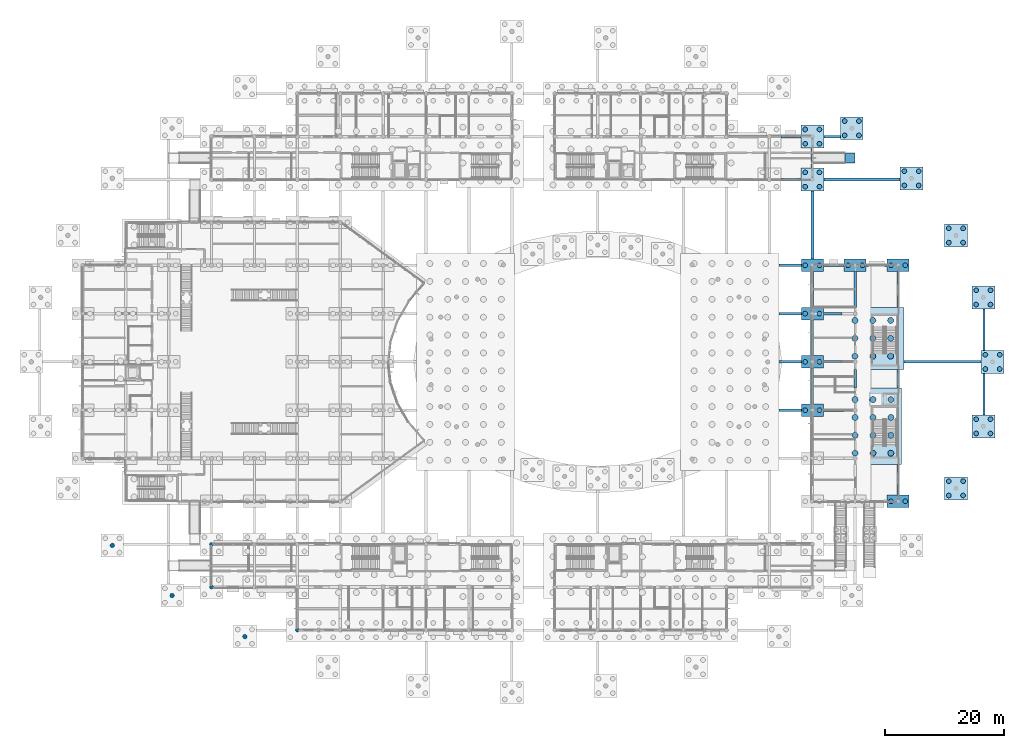
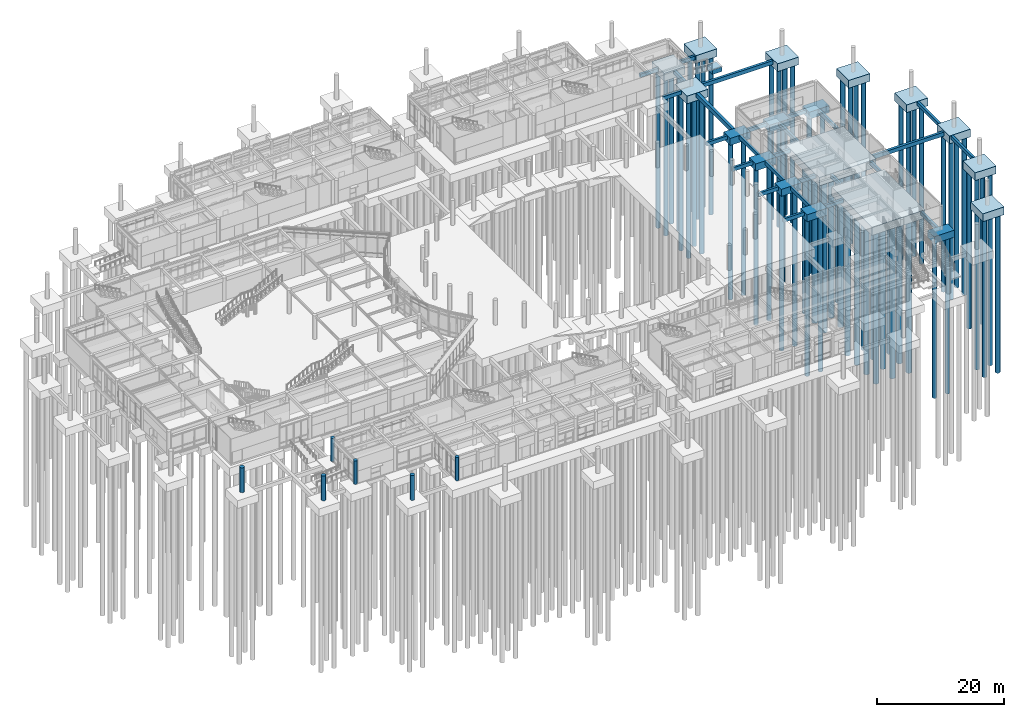
# One storey, part 8 of 103: 71 piles, 45 footings, 6 columns.
"""IFC4 building model written with IfcOpenShell, lengths in metres."""

from ifc_helpers import new_model, si_unit, direction, frame, origin, origin_2d, place, context, subcontext, project, spatial, rectangle, circle, extrude, material, layer, layer_set, material_profile, profile_set, type_object, element, save


model = new_model("IFC4")

# Units and contexts
model_context = context("Model", 3, precision=1e-05, world=origin(), true_north=direction((0.0, 1.0)))
body_context = subcontext(model_context, "Body", "Model", "MODEL_VIEW")
ifc_project = project(units=[si_unit("LENGTHUNIT", "METRE"), si_unit("AREAUNIT", "SQUARE_METRE"), si_unit("VOLUMEUNIT", "CUBIC_METRE"), si_unit("PLANEANGLEUNIT", "RADIAN"), si_unit("MASSUNIT", "GRAM", prefix="KILO")], contexts=[model_context])

# Site, building, storey
site_placement = place(None, origin())
site = spatial("IfcSite", under=ifc_project, at=site_placement, CompositionType="ELEMENT")
building_placement = place(site_placement, origin())
building = spatial("IfcBuilding", under=site, at=building_placement, Name="Namkhue Oval Health Centre", CompositionType="ELEMENT")
storey_placement = place(building_placement, origin())
storey = spatial("IfcBuildingStorey", under=building, at=storey_placement, Name="L00", CompositionType="ELEMENT", Elevation=0.0)

# Footings
ifc_material_1 = material(Name="Reinforced concrete C30/37 (TCVN B35)", Category="concrete")
ifc_layer_1 = layer(ifc_material_1, 1.60009765625)
ifc_layer_set_1 = layer_set([ifc_layer_1], Name="Reinforced concrete C30/37 (TCVN B35)")
footing_type_1 = type_object("IfcFootingType", Name="BORED PILE CAP 10400X10400X1600", PredefinedType="PILE_CAP", material=ifc_layer_set_1)
footing_1_placement = place(storey_placement, frame((146.949951171875, 63.35009765625, -1.85498046875), z_axis=(0.0, 0.0, 1.0), x_axis=(1.0, 0.0, 0.0)))
element("IfcFooting", 1, at=footing_1_placement, inside=storey, type_object=footing_type_1, Name="Reinforced Concrete Pile Cap 67", PredefinedType="PILE_CAP", context=body_context, shape_type="SweptSolid", body=[
    extrude(rectangle(XDim=10.39990234375, YDim=10.39990234375, at=origin_2d()), origin(), (0.0, 0.0, 1.0), 1.60009765625),
])
ifc_layer_2 = layer(ifc_material_1, 1.35009765625)
ifc_layer_set_2 = layer_set([ifc_layer_2], Name="Reinforced concrete C30/37 (TCVN B35)")
footing_type_2 = type_object("IfcFootingType", Name="BORED PILE CAP 3700X2100X1350", PredefinedType="PILE_CAP", material=ifc_layer_set_2)
for number, where, z_axis, x_axis, name in (
    (2, (151.199951171875, 36.0, -1.60498046875), (0.0, 0.0, 1.0), (1.0, 0.0, 0.0), "Reinforced Concrete Pile Cap 34"),
    (3, (136.800048828125, 51.300048828125, -1.60498046875), (0.0, 0.0, 1.0), (1.0, 0.0, 0.0), "Reinforced Concrete Pile Cap 63"),
    (4, (136.800048828125, 59.39990234375, -1.60498046875), (0.0, 0.0, 1.0), (1.0, 0.0, 0.0), "Reinforced Concrete Pile Cap 73"),
    (5, (136.800048828125, 67.5, -1.60498046875), (0.0, 0.0, 1.0), (1.0, 0.0, 0.0), "Reinforced Concrete Pile Cap 80"),
    (6, (136.800048828125, 75.60009765625, -1.60498046875), (0.0, 0.0, 1.0), (1.0, 0.0, 0.0), "Reinforced Concrete Pile Cap 91"),
    (7, (144.0, 75.60009765625, -1.60498046875), (0.0, 0.0, 1.0), (1.0, 0.0, 0.0), "Reinforced Concrete Pile Cap 92"),
    (8, (151.199951171875, 75.60009765625, -1.60498046875), (0.0, 0.0, 1.0), (1.0, 0.0, 0.0), "Reinforced Concrete Pile Cap 93"),
):
    element("IfcFooting", number, at=place(storey_placement, frame(where, z_axis=z_axis, x_axis=x_axis)), inside=storey, type_object=footing_type_2, Name=name, PredefinedType="PILE_CAP", context=body_context, shape_type="SweptSolid", body=[
        extrude(rectangle(XDim=3.699951171875, YDim=2.10009765625, at=origin_2d()), origin(), (0.0, 0.0, 1.0), 1.35009765625),
    ])
ifc_layer_3 = layer(ifc_material_1, 1.5)
ifc_layer_set_3 = layer_set([ifc_layer_3], Name="Reinforced concrete C30/37 (TCVN B35)")
footing_type_3 = type_object("IfcFootingType", Name="BORED PILE CAP 3850X3850X1500", PredefinedType="PILE_CAP", material=ifc_layer_set_3)
for number, where, z_axis, x_axis, name in (
    (9, (160.901611328125, 38.18408203125, -1.5), (0.0, 0.0, 1.0), (1.0, 0.0, 0.0), "Reinforced Concrete Pile Cap 37"),
    (10, (165.490478515625, 48.584228515625, -1.5), (0.0, 0.0, 1.0), (1.0, 0.0, 0.0), "Reinforced Concrete Pile Cap 56"),
    (11, (167.0400390625, 59.39990234375, -1.5), (0.0, 0.0, 1.0), (1.0, 0.0, 0.0), "Reinforced Concrete Pile Cap 66"),
    (12, (165.490478515625, 70.2158203125, -1.5), (0.0, 0.0, 1.0), (1.0, 0.0, 0.0), "Reinforced Concrete Pile Cap 82"),
    (13, (160.901611328125, 80.615966796875, -1.5), (0.0, 0.0, 1.0), (1.0, 0.0, 0.0), "Reinforced Concrete Pile Cap 101"),
    (14, (136.800048828125, 90.0, -1.764892578125), (0.0, 0.0, 1.0), (1.0, 0.0, 0.0), "Reinforced Concrete Pile Cap 112"),
    (15, (153.44970703125, 90.20068359375, -1.5), (0.0, 0.0, 1.0), (1.0, 0.0, 0.0), "Reinforced Concrete Pile Cap 114"),
    (16, (136.800048828125, 97.199951171875, -1.764892578125), (0.0, 0.0, 1.0), (1.0, 0.0, 0.0), "Reinforced Concrete Pile Cap 121"),
    (17, (143.421142578125, 98.60205078125, -1.5), (0.0, 0.0, 1.0), (1.0, 0.0, 0.0), "Reinforced Concrete Pile Cap 123"),
):
    element("IfcFooting", number, at=place(storey_placement, frame(where, z_axis=z_axis, x_axis=x_axis)), inside=storey, type_object=footing_type_3, Name=name, PredefinedType="PILE_CAP", context=body_context, shape_type="SweptSolid", body=[
        extrude(rectangle(XDim=3.85009765625, YDim=3.85009765625, at=origin_2d()), origin(), (0.0, 0.0, 1.0), 1.5),
    ])
ifc_layer_4 = layer(ifc_material_1, 1.60009765625)
ifc_layer_set_4 = layer_set([ifc_layer_4], Name="Reinforced concrete C30/37 (TCVN B35)")
footing_type_4 = type_object("IfcFootingType", Name="BORED PILE CAP 9650X12850X1600", PredefinedType="PILE_CAP", material=ifc_layer_set_4)
footing_2_placement = place(storey_placement, frame((146.97509765625, 48.574951171875, -1.85498046875), z_axis=(0.0, 0.0, 1.0), x_axis=(1.0, 0.0, 0.0)))
element("IfcFooting", 18, at=footing_2_placement, inside=storey, type_object=footing_type_4, Name="Reinforced Concrete Pile Cap 54", PredefinedType="PILE_CAP", context=body_context, shape_type="SweptSolid", body=[
    extrude(rectangle(XDim=9.64990234375, YDim=12.85009765625, at=origin_2d()), origin(), (0.0, 0.0, 1.0), 1.60009765625),
])
footing_type_5 = type_object("IfcFootingType", Name="FOUNDATION GROUND BEAM 400X700", PredefinedType="FOOTING_BEAM", material=ifc_material_1)
footing_3_placement = place(storey_placement, frame((133.088134765625, 51.300048828125, -0.955078125), z_axis=(0.0, 0.0, 1.0), x_axis=(1.0, 0.0, 0.0)))
element("IfcFooting", 19, at=footing_3_placement, inside=storey, type_object=footing_type_5, Name="Foundation Ground Tie Beam X-45", PredefinedType="FOOTING_BEAM", context=body_context, shape_type="SweptSolid", body=[
    extrude(rectangle(XDim=3.723876953125, YDim=0.39990234375, at=origin_2d()), origin(), (0.0, 0.0, 1.0), 0.699951171875),
])
footing_4_placement = place(storey_placement, frame((140.39990234375, 51.300048828125, -0.955078125), z_axis=(0.0, 0.0, 1.0), x_axis=(1.0, 0.0, 0.0)))
element("IfcFooting", 20, at=footing_4_placement, inside=storey, type_object=footing_type_5, Name="Foundation Ground Tie Beam X-46", PredefinedType="FOOTING_BEAM", context=body_context, shape_type="SweptSolid", body=[
    extrude(rectangle(XDim=3.5, YDim=0.39990234375, at=origin_2d()), origin(), (0.0, 0.0, 1.0), 0.699951171875),
])
footing_5_placement = place(storey_placement, frame((133.088134765625, 59.39990234375, -0.955078125), z_axis=(0.0, 0.0, 1.0), x_axis=(1.0, 0.0, 0.0)))
element("IfcFooting", 21, at=footing_5_placement, inside=storey, type_object=footing_type_5, Name="Foundation Ground Tie Beam X-53", PredefinedType="FOOTING_BEAM", context=body_context, shape_type="SweptSolid", body=[
    extrude(rectangle(XDim=3.723876953125, YDim=0.39990234375, at=origin_2d()), origin(), (0.0, 0.0, 1.0), 0.699951171875),
])
footing_6_placement = place(storey_placement, frame((140.199951171875, 59.39990234375, -0.955078125), z_axis=(0.0, 0.0, 1.0), x_axis=(1.0, 0.0, 0.0)))
element("IfcFooting", 22, at=footing_6_placement, inside=storey, type_object=footing_type_5, Name="Foundation Ground Tie Beam X-54", PredefinedType="FOOTING_BEAM", context=body_context, shape_type="SweptSolid", body=[
    extrude(rectangle(XDim=3.10009765625, YDim=0.39990234375, at=origin_2d()), origin(), (0.0, 0.0, 1.0), 0.699951171875),
])
footing_7_placement = place(storey_placement, frame((133.088134765625, 67.5, -0.955078125), z_axis=(0.0, 0.0, 1.0), x_axis=(1.0, 0.0, 0.0)))
element("IfcFooting", 23, at=footing_7_placement, inside=storey, type_object=footing_type_5, Name="Foundation Ground Tie Beam X-61", PredefinedType="FOOTING_BEAM", context=body_context, shape_type="SweptSolid", body=[
    extrude(rectangle(XDim=3.723876953125, YDim=0.39990234375, at=origin_2d()), origin(), (0.0, 0.0, 1.0), 0.699951171875),
])
footing_8_placement = place(storey_placement, frame((140.199951171875, 67.5, -0.955078125), z_axis=(0.0, 0.0, 1.0), x_axis=(1.0, 0.0, 0.0)))
element("IfcFooting", 24, at=footing_8_placement, inside=storey, type_object=footing_type_5, Name="Foundation Ground Tie Beam X-62", PredefinedType="FOOTING_BEAM", context=body_context, shape_type="SweptSolid", body=[
    extrude(rectangle(XDim=3.10009765625, YDim=0.39990234375, at=origin_2d()), origin(), (0.0, 0.0, 1.0), 0.699951171875),
])
footing_9_placement = place(storey_placement, frame((133.088134765625, 75.60009765625, -0.955078125), z_axis=(0.0, 0.0, 1.0), x_axis=(1.0, 0.0, 0.0)))
element("IfcFooting", 25, at=footing_9_placement, inside=storey, type_object=footing_type_5, Name="Foundation Ground Tie Beam X-71", PredefinedType="FOOTING_BEAM", context=body_context, shape_type="SweptSolid", body=[
    extrude(rectangle(XDim=3.723876953125, YDim=0.39990234375, at=origin_2d()), origin(), (0.0, 0.0, 1.0), 0.699951171875),
])
for number, where, z_axis, x_axis, name in (
    (26, (140.39990234375, 75.60009765625, -0.955078125), (0.0, 0.0, 1.0), (1.0, 0.0, 0.0), "Foundation Ground Tie Beam X-72"),
    (27, (147.60009765625, 75.60009765625, -0.955078125), (0.0, 0.0, 1.0), (1.0, 0.0, 0.0), "Foundation Ground Tie Beam X-73"),
):
    element("IfcFooting", number, at=place(storey_placement, frame(where, z_axis=z_axis, x_axis=x_axis)), inside=storey, type_object=footing_type_5, Name=name, PredefinedType="FOOTING_BEAM", context=body_context, shape_type="SweptSolid", body=[
        extrude(rectangle(XDim=3.5, YDim=0.39990234375, at=origin_2d()), origin(), (0.0, 0.0, 1.0), 0.699951171875),
    ])
for number, where, z_axis, x_axis, name in (
    (28, (133.199951171875, 90.0, -0.96484375), (0.0, 0.0, 1.0), (1.0, 0.0, 0.0), "Foundation Ground Tie Beam X-86"),
    (29, (133.199951171875, 97.199951171875, -0.96484375), (0.0, 0.0, 1.0), (1.0, 0.0, 0.0), "Foundation Ground Tie Beam X-96"),
):
    element("IfcFooting", number, at=place(storey_placement, frame(where, z_axis=z_axis, x_axis=x_axis)), inside=storey, type_object=footing_type_5, Name=name, PredefinedType="FOOTING_BEAM", context=body_context, shape_type="SweptSolid", body=[
        extrude(rectangle(XDim=3.35009765625, YDim=0.39990234375, at=origin_2d()), origin(), (0.0, 0.0, 1.0), 0.699951171875),
    ])
footing_10_placement = place(storey_placement, frame((140.110595703125, 97.199951171875, -0.96484375), z_axis=(0.0, 0.0, 1.0), x_axis=(1.0, 0.0, 0.0)))
element("IfcFooting", 30, at=footing_10_placement, inside=storey, type_object=footing_type_5, Name="Foundation Ground Tie Beam X-97", PredefinedType="FOOTING_BEAM", context=body_context, shape_type="SweptSolid", body=[
    extrude(rectangle(XDim=2.77099609375, YDim=0.39990234375, at=origin_2d()), origin(), (0.0, 0.0, 1.0), 0.699951171875),
])
for number, where, z_axis, x_axis, name in (
    (31, (136.800048828125, 55.35009765625, -0.955078125), (0.0, 0.0, 1.0), (0.0, 1.0, 0.0), "Foundation Ground Tie Beam Y-205"),
    (32, (136.800048828125, 63.449951171875, -0.955078125), (0.0, 0.0, 1.0), (0.0, 1.0, 0.0), "Foundation Ground Tie Beam Y-206"),
    (33, (136.800048828125, 71.550048828125, -0.955078125), (0.0, 0.0, 1.0), (0.0, 1.0, 0.0), "Foundation Ground Tie Beam Y-207"),
):
    element("IfcFooting", number, at=place(storey_placement, frame(where, z_axis=z_axis, x_axis=x_axis)), inside=storey, type_object=footing_type_5, Name=name, PredefinedType="FOOTING_BEAM", context=body_context, shape_type="SweptSolid", body=[
        extrude(rectangle(XDim=6.0, YDim=0.39990234375, at=origin_2d()), origin(), (0.0, 0.0, 1.0), 0.699951171875),
    ])
footing_11_placement = place(storey_placement, frame((136.800048828125, 93.60009765625, -0.96484375), z_axis=(0.0, 0.0, 1.0), x_axis=(0.0, 1.0, 0.0)))
element("IfcFooting", 34, at=footing_11_placement, inside=storey, type_object=footing_type_5, Name="Foundation Ground Tie Beam Y-209", PredefinedType="FOOTING_BEAM", context=body_context, shape_type="SweptSolid", body=[
    extrude(rectangle(XDim=3.35009765625, YDim=0.39990234375, at=origin_2d()), origin(), (0.0, 0.0, 1.0), 0.699951171875),
])
footing_12_placement = place(storey_placement, frame((144.0, 56.574951171875, -0.955078125), z_axis=(0.0, 0.0, 1.0), x_axis=(0.0, 1.0, 0.0)))
element("IfcFooting", 35, at=footing_12_placement, inside=storey, type_object=footing_type_5, Name="Foundation Ground Tie Beam Y-212", PredefinedType="FOOTING_BEAM", context=body_context, shape_type="SweptSolid", body=[
    extrude(rectangle(XDim=3.14990234375, YDim=0.39990234375, at=origin_2d()), origin(), (0.0, 0.0, 1.0), 0.699951171875),
])
footing_13_placement = place(storey_placement, frame((144.0, 71.550048828125, -0.955078125), z_axis=(0.0, 0.0, 1.0), x_axis=(0.0, 1.0, 0.0)))
element("IfcFooting", 36, at=footing_13_placement, inside=storey, type_object=footing_type_5, Name="Foundation Ground Tie Beam Y-213", PredefinedType="FOOTING_BEAM", context=body_context, shape_type="SweptSolid", body=[
    extrude(rectangle(XDim=6.0, YDim=0.39990234375, at=origin_2d()), origin(), (0.0, 0.0, 1.0), 0.699951171875),
])
footing_14_placement = place(storey_placement, frame((151.199951171875, 39.60009765625, -0.955078125), z_axis=(0.0, 0.0, 1.0), x_axis=(0.0, 1.0, 0.0)))
element("IfcFooting", 37, at=footing_14_placement, inside=storey, type_object=footing_type_5, Name="Foundation Ground Tie Beam Y-214", PredefinedType="FOOTING_BEAM", context=body_context, shape_type="SweptSolid", body=[
    extrude(rectangle(XDim=5.10009765625, YDim=0.39990234375, at=origin_2d()), origin(), (0.0, 0.0, 1.0), 0.699951171875),
])
footing_15_placement = place(storey_placement, frame((151.199951171875, 56.574951171875, -0.955078125), z_axis=(0.0, 0.0, 1.0), x_axis=(0.0, 1.0, 0.0)))
element("IfcFooting", 38, at=footing_15_placement, inside=storey, type_object=footing_type_5, Name="Foundation Ground Tie Beam Y-215", PredefinedType="FOOTING_BEAM", context=body_context, shape_type="SweptSolid", body=[
    extrude(rectangle(XDim=3.14990234375, YDim=0.39990234375, at=origin_2d()), origin(), (0.0, 0.0, 1.0), 0.699951171875),
])
footing_16_placement = place(storey_placement, frame((151.199951171875, 71.550048828125, -0.955078125), z_axis=(0.0, 0.0, 1.0), x_axis=(0.0, 1.0, 0.0)))
element("IfcFooting", 39, at=footing_16_placement, inside=storey, type_object=footing_type_5, Name="Foundation Ground Tie Beam Y-216", PredefinedType="FOOTING_BEAM", context=body_context, shape_type="SweptSolid", body=[
    extrude(rectangle(XDim=6.0, YDim=0.39990234375, at=origin_2d()), origin(), (0.0, 0.0, 1.0), 0.699951171875),
])
for number, where, z_axis, x_axis, name in (
    (40, (165.60009765625, 53.9921875, -0.7001953125), (0.0, 0.0, 1.0), (0.0, 1.0, 0.0), "Foundation Ground Tie Beam Y-217"),
    (41, (165.60009765625, 64.807861328125, -0.7001953125), (0.0, 0.0, 1.0), (0.0, 1.0, 0.0), "Foundation Ground Tie Beam Y-218"),
):
    element("IfcFooting", number, at=place(storey_placement, frame(where, z_axis=z_axis, x_axis=x_axis)), inside=storey, type_object=footing_type_5, Name=name, PredefinedType="FOOTING_BEAM", context=body_context, shape_type="SweptSolid", body=[
        extrude(rectangle(XDim=6.9658203125, YDim=0.39990234375, at=origin_2d()), origin(), (0.0, 0.0, 1.0), 0.699951171875),
    ])
footing_type_6 = type_object("IfcFootingType", Name="FOUNDATION GROUND BEAM 450X750", PredefinedType="FOOTING_BEAM", material=ifc_material_1)
footing_17_placement = place(storey_placement, frame((158.632568359375, 59.39990234375, -1.0048828125), z_axis=(0.0, 0.0, 1.0), x_axis=(1.0, 0.0, 0.0)))
element("IfcFooting", 42, at=footing_17_placement, inside=storey, type_object=footing_type_6, Name="Foundation Ground Tie Beam X-55", PredefinedType="FOOTING_BEAM", context=body_context, shape_type="SweptSolid", body=[
    extrude(rectangle(XDim=12.965087890625, YDim=0.449951171875, at=origin_2d()), origin(), (0.0, 0.0, 1.0), 0.75),
])
footing_18_placement = place(storey_placement, frame((145.125, 90.0, -1.014892578125), z_axis=(0.0, 0.0, 1.0), x_axis=(1.0, 0.0, 0.0)))
element("IfcFooting", 43, at=footing_18_placement, inside=storey, type_object=footing_type_6, Name="Foundation Ground Tie Beam X-87", PredefinedType="FOOTING_BEAM", context=body_context, shape_type="SweptSolid", body=[
    extrude(rectangle(XDim=12.7998046875, YDim=0.449951171875, at=origin_2d()), origin(), (0.0, 0.0, 1.0), 0.75),
])
footing_type_7 = type_object("IfcFootingType", Name="FOUNDATION GROUND BEAM 500X800", PredefinedType="FOOTING_BEAM", material=ifc_material_1)
footing_19_placement = place(storey_placement, frame((136.800048828125, 82.362548828125, -1.06494140625), z_axis=(0.0, 0.0, 1.0), x_axis=(0.0, 1.0, 0.0)))
element("IfcFooting", 44, at=footing_19_placement, inside=storey, type_object=footing_type_7, Name="Foundation Ground Tie Beam Y-208", PredefinedType="FOOTING_BEAM", context=body_context, shape_type="SweptSolid", body=[
    extrude(rectangle(XDim=11.425048828125, YDim=0.5, at=origin_2d()), origin(), (0.0, 0.0, 1.0), 0.800048828125),
])
ifc_layer_5 = layer(ifc_material_1, 0.85009765625)
ifc_layer_set_5 = layer_set([ifc_layer_5], Name="Reinforced concrete C30/37 (TCVN B35)")
footing_type_8 = type_object("IfcFootingType", Name="GARDEN PAVILION PAD FOOTING 1700X1700X850", PredefinedType="PAD_FOOTING", material=ifc_layer_set_5)
footing_20_placement = place(storey_placement, frame((143.10009765625, 93.60009765625, -1.5), z_axis=(0.0, 0.0, 1.0), x_axis=(-1.0, 0.0, 0.0)))
element("IfcFooting", 45, at=footing_20_placement, inside=storey, type_object=footing_type_8, Name="East Specialist Clinic Arrival Ramp Foundation Pad", PredefinedType="PAD_FOOTING", context=body_context, shape_type="SweptSolid", body=[
    extrude(rectangle(XDim=1.699951171875, YDim=1.699951171875, at=origin_2d()), origin(), (0.0, 0.0, 1.0), 0.85009765625),
])

# Piles
ifc_material_2 = material(Name="Reinforced concrete C25/30 (TCVN B30)", Category="concrete")
ifc_material_profile_1 = material_profile(ifc_material_2, circle(Radius=0.5, at=origin_2d()), Name="BORED PILE D1000")
ifc_profile_set_1 = profile_set([ifc_material_profile_1], Name="Reinforced concrete C25/30 (TCVN B30)")
pile_type_1 = type_object("IfcPileType", Name="RC BORED PILE D1000", PredefinedType="BORED", material=ifc_profile_set_1)
for number, where, z_axis, x_axis, name in (
    (46, (143.97509765625, 44.074951171875, -1.735107421875), (0.0, 0.0, -1.0), (1.0, 0.0, 0.0), "Bored Pile 54-1.1"),
    (47, (143.97509765625, 47.074951171875, -1.735107421875), (0.0, 0.0, -1.0), (1.0, 0.0, 0.0), "Bored Pile 54-1.2"),
    (48, (143.97509765625, 50.074951171875, -1.735107421875), (0.0, 0.0, -1.0), (1.0, 0.0, 0.0), "Bored Pile 54-1.3"),
    (49, (143.97509765625, 53.074951171875, -1.735107421875), (0.0, 0.0, -1.0), (1.0, 0.0, 0.0), "Bored Pile 54-1.4"),
    (50, (146.97509765625, 44.074951171875, -1.735107421875), (0.0, 0.0, -1.0), (1.0, 0.0, 0.0), "Bored Pile 54-2.1"),
    (51, (146.97509765625, 47.074951171875, -1.735107421875), (0.0, 0.0, -1.0), (1.0, 0.0, 0.0), "Bored Pile 54-2.2"),
    (52, (146.97509765625, 50.074951171875, -1.735107421875), (0.0, 0.0, -1.0), (1.0, 0.0, 0.0), "Bored Pile 54-2.3"),
    (53, (146.97509765625, 53.074951171875, -1.735107421875), (0.0, 0.0, -1.0), (1.0, 0.0, 0.0), "Bored Pile 54-2.4"),
    (54, (149.97509765625, 44.074951171875, -1.735107421875), (0.0, 0.0, -1.0), (1.0, 0.0, 0.0), "Bored Pile 54-3.1"),
    (55, (149.97509765625, 47.074951171875, -1.735107421875), (0.0, 0.0, -1.0), (1.0, 0.0, 0.0), "Bored Pile 54-3.2"),
    (56, (149.97509765625, 50.074951171875, -1.735107421875), (0.0, 0.0, -1.0), (1.0, 0.0, 0.0), "Bored Pile 54-3.3"),
    (57, (149.97509765625, 53.074951171875, -1.735107421875), (0.0, 0.0, -1.0), (1.0, 0.0, 0.0), "Bored Pile 54-3.4"),
    (58, (143.949951171875, 60.35009765625, -1.735107421875), (0.0, 0.0, -1.0), (1.0, 0.0, 0.0), "Bored Pile 67-1.1"),
    (59, (143.949951171875, 63.35009765625, -1.735107421875), (0.0, 0.0, -1.0), (1.0, 0.0, 0.0), "Bored Pile 67-1.2"),
    (60, (143.949951171875, 66.35009765625, -1.735107421875), (0.0, 0.0, -1.0), (1.0, 0.0, 0.0), "Bored Pile 67-1.3"),
    (61, (146.949951171875, 60.35009765625, -1.735107421875), (0.0, 0.0, -1.0), (1.0, 0.0, 0.0), "Bored Pile 67-2.1"),
    (62, (146.949951171875, 63.35009765625, -1.735107421875), (0.0, 0.0, -1.0), (1.0, 0.0, 0.0), "Bored Pile 67-2.2"),
    (63, (146.949951171875, 66.35009765625, -1.735107421875), (0.0, 0.0, -1.0), (1.0, 0.0, 0.0), "Bored Pile 67-2.3"),
    (64, (149.949951171875, 60.35009765625, -1.735107421875), (0.0, 0.0, -1.0), (1.0, 0.0, 0.0), "Bored Pile 67-3.1"),
    (65, (149.949951171875, 63.35009765625, -1.735107421875), (0.0, 0.0, -1.0), (1.0, 0.0, 0.0), "Bored Pile 67-3.2"),
    (66, (149.949951171875, 66.35009765625, -1.735107421875), (0.0, 0.0, -1.0), (1.0, 0.0, 0.0), "Bored Pile 67-3.3"),
):
    element("IfcPile", number, at=place(storey_placement, frame(where, z_axis=z_axis, x_axis=x_axis)), inside=storey, type_object=pile_type_1, Name=name, PredefinedType="BORED", context=body_context, shape_type="SweptSolid", body=[
        extrude(circle(Radius=0.5, at=origin_2d()), origin(), (0.0, 0.0, 1.0), 30.264892578125),
    ])
ifc_material_profile_2 = material_profile(ifc_material_2, circle(Radius=0.39990234375, at=origin_2d()), Name="BORED PILE D800")
ifc_profile_set_2 = profile_set([ifc_material_profile_2], Name="Reinforced concrete C25/30 (TCVN B30)")
pile_type_2 = type_object("IfcPileType", Name="RC BORED PILE D800", PredefinedType="BORED", material=ifc_profile_set_2)
for number, where, z_axis, x_axis, name in (
    (67, (150.0, 36.0, -1.485107421875), (0.0, 0.0, -1.0), (1.0, 0.0, 0.0), "Bored Pile 34-1.1"),
    (68, (152.39990234375, 36.0, -1.485107421875), (0.0, 0.0, -1.0), (1.0, 0.0, 0.0), "Bored Pile 34-2.1"),
):
    element("IfcPile", number, at=place(storey_placement, frame(where, z_axis=z_axis, x_axis=x_axis)), inside=storey, type_object=pile_type_2, Name=name, PredefinedType="BORED", context=body_context, shape_type="SweptSolid", body=[
        extrude(circle(Radius=0.39990234375, at=origin_2d()), origin(), (0.0, 0.0, 1.0), 30.514892578125),
    ])
for number, where, z_axis, x_axis, name in (
    (69, (159.70166015625, 36.98388671875, -1.3798828125), (0.0, 0.0, -1.0), (1.0, 0.0, 0.0), "Bored Pile 37-1.1"),
    (70, (159.70166015625, 39.384033203125, -1.3798828125), (0.0, 0.0, -1.0), (1.0, 0.0, 0.0), "Bored Pile 37-1.2"),
    (71, (162.1015625, 36.98388671875, -1.3798828125), (0.0, 0.0, -1.0), (1.0, 0.0, 0.0), "Bored Pile 37-2.1"),
    (72, (162.1015625, 39.384033203125, -1.3798828125), (0.0, 0.0, -1.0), (1.0, 0.0, 0.0), "Bored Pile 37-2.2"),
    (73, (164.29052734375, 47.38427734375, -1.3798828125), (0.0, 0.0, -1.0), (1.0, 0.0, 0.0), "Bored Pile 56-1.1"),
    (74, (164.29052734375, 49.7841796875, -1.3798828125), (0.0, 0.0, -1.0), (1.0, 0.0, 0.0), "Bored Pile 56-1.2"),
    (75, (166.6904296875, 47.38427734375, -1.3798828125), (0.0, 0.0, -1.0), (1.0, 0.0, 0.0), "Bored Pile 56-2.1"),
    (76, (166.6904296875, 49.7841796875, -1.3798828125), (0.0, 0.0, -1.0), (1.0, 0.0, 0.0), "Bored Pile 56-2.2"),
):
    element("IfcPile", number, at=place(storey_placement, frame(where, z_axis=z_axis, x_axis=x_axis)), inside=storey, type_object=pile_type_2, Name=name, PredefinedType="BORED", context=body_context, shape_type="SweptSolid", body=[
        extrude(circle(Radius=0.39990234375, at=origin_2d()), origin(), (0.0, 0.0, 1.0), 30.6201171875),
    ])
for number, where, z_axis, x_axis, name in (
    (77, (135.60009765625, 51.300048828125, -1.485107421875), (0.0, 0.0, -1.0), (1.0, 0.0, 0.0), "Bored Pile 63-1.1"),
    (78, (138.0, 51.300048828125, -1.485107421875), (0.0, 0.0, -1.0), (1.0, 0.0, 0.0), "Bored Pile 63-2.1"),
):
    element("IfcPile", number, at=place(storey_placement, frame(where, z_axis=z_axis, x_axis=x_axis)), inside=storey, type_object=pile_type_2, Name=name, PredefinedType="BORED", context=body_context, shape_type="SweptSolid", body=[
        extrude(circle(Radius=0.39990234375, at=origin_2d()), origin(), (0.0, 0.0, 1.0), 30.514892578125),
    ])
for number, where, z_axis, x_axis, name in (
    (79, (165.840087890625, 58.199951171875, -1.3798828125), (0.0, 0.0, -1.0), (1.0, 0.0, 0.0), "Bored Pile 66-1.1"),
    (80, (165.840087890625, 60.60009765625, -1.3798828125), (0.0, 0.0, -1.0), (1.0, 0.0, 0.0), "Bored Pile 66-1.2"),
    (81, (168.239990234375, 58.199951171875, -1.3798828125), (0.0, 0.0, -1.0), (1.0, 0.0, 0.0), "Bored Pile 66-2.1"),
    (82, (168.239990234375, 60.60009765625, -1.3798828125), (0.0, 0.0, -1.0), (1.0, 0.0, 0.0), "Bored Pile 66-2.2"),
):
    element("IfcPile", number, at=place(storey_placement, frame(where, z_axis=z_axis, x_axis=x_axis)), inside=storey, type_object=pile_type_2, Name=name, PredefinedType="BORED", context=body_context, shape_type="SweptSolid", body=[
        extrude(circle(Radius=0.39990234375, at=origin_2d()), origin(), (0.0, 0.0, 1.0), 30.6201171875),
    ])
for number, where, z_axis, x_axis, name in (
    (83, (135.60009765625, 59.39990234375, -1.485107421875), (0.0, 0.0, -1.0), (1.0, 0.0, 0.0), "Bored Pile 73-1.1"),
    (84, (138.0, 59.39990234375, -1.485107421875), (0.0, 0.0, -1.0), (1.0, 0.0, 0.0), "Bored Pile 73-2.1"),
    (85, (135.60009765625, 67.5, -1.485107421875), (0.0, 0.0, -1.0), (1.0, 0.0, 0.0), "Bored Pile 80-1.1"),
    (86, (138.0, 67.5, -1.485107421875), (0.0, 0.0, -1.0), (1.0, 0.0, 0.0), "Bored Pile 80-2.1"),
):
    element("IfcPile", number, at=place(storey_placement, frame(where, z_axis=z_axis, x_axis=x_axis)), inside=storey, type_object=pile_type_2, Name=name, PredefinedType="BORED", context=body_context, shape_type="SweptSolid", body=[
        extrude(circle(Radius=0.39990234375, at=origin_2d()), origin(), (0.0, 0.0, 1.0), 30.514892578125),
    ])
for number, where, z_axis, x_axis, name in (
    (87, (164.29052734375, 69.015869140625, -1.3798828125), (0.0, 0.0, -1.0), (1.0, 0.0, 0.0), "Bored Pile 82-1.1"),
    (88, (164.29052734375, 71.415771484375, -1.3798828125), (0.0, 0.0, -1.0), (1.0, 0.0, 0.0), "Bored Pile 82-1.2"),
    (89, (166.6904296875, 69.015869140625, -1.3798828125), (0.0, 0.0, -1.0), (1.0, 0.0, 0.0), "Bored Pile 82-2.1"),
    (90, (166.6904296875, 71.415771484375, -1.3798828125), (0.0, 0.0, -1.0), (1.0, 0.0, 0.0), "Bored Pile 82-2.2"),
):
    element("IfcPile", number, at=place(storey_placement, frame(where, z_axis=z_axis, x_axis=x_axis)), inside=storey, type_object=pile_type_2, Name=name, PredefinedType="BORED", context=body_context, shape_type="SweptSolid", body=[
        extrude(circle(Radius=0.39990234375, at=origin_2d()), origin(), (0.0, 0.0, 1.0), 30.6201171875),
    ])
for number, where, z_axis, x_axis, name in (
    (91, (135.60009765625, 75.60009765625, -1.485107421875), (0.0, 0.0, -1.0), (1.0, 0.0, 0.0), "Bored Pile 91-1.1"),
    (92, (138.0, 75.60009765625, -1.485107421875), (0.0, 0.0, -1.0), (1.0, 0.0, 0.0), "Bored Pile 91-2.1"),
    (93, (142.800048828125, 75.60009765625, -1.485107421875), (0.0, 0.0, -1.0), (1.0, 0.0, 0.0), "Bored Pile 92-1.1"),
    (94, (145.199951171875, 75.60009765625, -1.485107421875), (0.0, 0.0, -1.0), (1.0, 0.0, 0.0), "Bored Pile 92-2.1"),
    (95, (150.0, 75.60009765625, -1.485107421875), (0.0, 0.0, -1.0), (1.0, 0.0, 0.0), "Bored Pile 93-1.1"),
    (96, (152.39990234375, 75.60009765625, -1.485107421875), (0.0, 0.0, -1.0), (1.0, 0.0, 0.0), "Bored Pile 93-2.1"),
):
    element("IfcPile", number, at=place(storey_placement, frame(where, z_axis=z_axis, x_axis=x_axis)), inside=storey, type_object=pile_type_2, Name=name, PredefinedType="BORED", context=body_context, shape_type="SweptSolid", body=[
        extrude(circle(Radius=0.39990234375, at=origin_2d()), origin(), (0.0, 0.0, 1.0), 30.514892578125),
    ])
for number, where, z_axis, x_axis, name in (
    (97, (159.70166015625, 79.416015625, -1.3798828125), (0.0, 0.0, -1.0), (1.0, 0.0, 0.0), "Bored Pile 101-1.1"),
    (98, (159.70166015625, 81.81591796875, -1.3798828125), (0.0, 0.0, -1.0), (1.0, 0.0, 0.0), "Bored Pile 101-1.2"),
    (99, (162.1015625, 79.416015625, -1.3798828125), (0.0, 0.0, -1.0), (1.0, 0.0, 0.0), "Bored Pile 101-2.1"),
    (100, (162.1015625, 81.81591796875, -1.3798828125), (0.0, 0.0, -1.0), (1.0, 0.0, 0.0), "Bored Pile 101-2.2"),
):
    element("IfcPile", number, at=place(storey_placement, frame(where, z_axis=z_axis, x_axis=x_axis)), inside=storey, type_object=pile_type_2, Name=name, PredefinedType="BORED", context=body_context, shape_type="SweptSolid", body=[
        extrude(circle(Radius=0.39990234375, at=origin_2d()), origin(), (0.0, 0.0, 1.0), 30.6201171875),
    ])
for number, where, z_axis, x_axis, name in (
    (101, (135.60009765625, 88.800048828125, -1.64501953125), (0.0, 0.0, -1.0), (1.0, 0.0, 0.0), "Bored Pile 112-1.1"),
    (102, (135.60009765625, 91.199951171875, -1.64501953125), (0.0, 0.0, -1.0), (1.0, 0.0, 0.0), "Bored Pile 112-1.2"),
    (103, (138.0, 88.800048828125, -1.64501953125), (0.0, 0.0, -1.0), (1.0, 0.0, 0.0), "Bored Pile 112-2.1"),
    (104, (138.0, 91.199951171875, -1.64501953125), (0.0, 0.0, -1.0), (1.0, 0.0, 0.0), "Bored Pile 112-2.2"),
):
    element("IfcPile", number, at=place(storey_placement, frame(where, z_axis=z_axis, x_axis=x_axis)), inside=storey, type_object=pile_type_2, Name=name, PredefinedType="BORED", context=body_context, shape_type="SweptSolid", body=[
        extrude(circle(Radius=0.39990234375, at=origin_2d()), origin(), (0.0, 0.0, 1.0), 30.35498046875),
    ])
for number, where, z_axis, x_axis, name in (
    (105, (152.249755859375, 89.000732421875, -1.3798828125), (0.0, 0.0, -1.0), (1.0, 0.0, 0.0), "Bored Pile 114-1.1"),
    (106, (152.249755859375, 91.40087890625, -1.3798828125), (0.0, 0.0, -1.0), (1.0, 0.0, 0.0), "Bored Pile 114-1.2"),
    (107, (154.649658203125, 89.000732421875, -1.3798828125), (0.0, 0.0, -1.0), (1.0, 0.0, 0.0), "Bored Pile 114-2.1"),
    (108, (154.649658203125, 91.40087890625, -1.3798828125), (0.0, 0.0, -1.0), (1.0, 0.0, 0.0), "Bored Pile 114-2.2"),
):
    element("IfcPile", number, at=place(storey_placement, frame(where, z_axis=z_axis, x_axis=x_axis)), inside=storey, type_object=pile_type_2, Name=name, PredefinedType="BORED", context=body_context, shape_type="SweptSolid", body=[
        extrude(circle(Radius=0.39990234375, at=origin_2d()), origin(), (0.0, 0.0, 1.0), 30.6201171875),
    ])
for number, where, z_axis, x_axis, name in (
    (109, (135.60009765625, 96.0, -1.64501953125), (0.0, 0.0, -1.0), (1.0, 0.0, 0.0), "Bored Pile 121-1.1"),
    (110, (135.60009765625, 98.39990234375, -1.64501953125), (0.0, 0.0, -1.0), (1.0, 0.0, 0.0), "Bored Pile 121-1.2"),
    (111, (138.0, 96.0, -1.64501953125), (0.0, 0.0, -1.0), (1.0, 0.0, 0.0), "Bored Pile 121-2.1"),
    (112, (138.0, 98.39990234375, -1.64501953125), (0.0, 0.0, -1.0), (1.0, 0.0, 0.0), "Bored Pile 121-2.2"),
):
    element("IfcPile", number, at=place(storey_placement, frame(where, z_axis=z_axis, x_axis=x_axis)), inside=storey, type_object=pile_type_2, Name=name, PredefinedType="BORED", context=body_context, shape_type="SweptSolid", body=[
        extrude(circle(Radius=0.39990234375, at=origin_2d()), origin(), (0.0, 0.0, 1.0), 30.35498046875),
    ])
for number, where, z_axis, x_axis, name in (
    (113, (142.22119140625, 97.402099609375, -1.3798828125), (0.0, 0.0, -1.0), (1.0, 0.0, 0.0), "Bored Pile 123-1.1"),
    (114, (142.22119140625, 99.802001953125, -1.3798828125), (0.0, 0.0, -1.0), (1.0, 0.0, 0.0), "Bored Pile 123-1.2"),
    (115, (144.62109375, 97.402099609375, -1.3798828125), (0.0, 0.0, -1.0), (1.0, 0.0, 0.0), "Bored Pile 123-2.1"),
    (116, (144.62109375, 99.802001953125, -1.3798828125), (0.0, 0.0, -1.0), (1.0, 0.0, 0.0), "Bored Pile 123-2.2"),
):
    element("IfcPile", number, at=place(storey_placement, frame(where, z_axis=z_axis, x_axis=x_axis)), inside=storey, type_object=pile_type_2, Name=name, PredefinedType="BORED", context=body_context, shape_type="SweptSolid", body=[
        extrude(circle(Radius=0.39990234375, at=origin_2d()), origin(), (0.0, 0.0, 1.0), 30.6201171875),
    ])

# Columns
ifc_material_3 = material(Name="Reinforced concrete C35/45 (TCVN B40)", Category="concrete")
ifc_material_profile_3 = material_profile(ifc_material_3, circle(Radius=0.324951171875, at=origin_2d()), Name="RC D650")
ifc_profile_set_3 = profile_set([ifc_material_profile_3], Name="Reinforced concrete C35/45 (TCVN B40)")
column_type_1 = type_object("IfcColumnType", Name="RC COLUMN D650 EXT", PredefinedType="COLUMN", material=ifc_profile_set_3)
for number, where, z_axis, x_axis, name in (
    (117, (36.0, 21.60009765625, 0.0), (0.0, 0.0, 1.0), (1.0, 0.0, 0.0), "Volume V4 L00 Column 6/D"),
    (118, (36.0, 28.800048828125, 0.0), (0.0, 0.0, 1.0), (1.0, 0.0, 0.0), "Volume V4 L00 Column 6/E"),
    (119, (50.39990234375, 14.39990234375, 0.0), (0.0, 0.0, 1.0), (1.0, 0.0, 0.0), "Volume V4 L00 Column 8/C"),
):
    element("IfcColumn", number, at=place(storey_placement, frame(where, z_axis=z_axis, x_axis=x_axis)), inside=storey, type_object=column_type_1, Name=name, PredefinedType="COLUMN", context=body_context, shape_type="SweptSolid", body=[
        extrude(circle(Radius=0.324951171875, at=origin_2d()), origin(), (0.0, 0.0, 1.0), 4.510009765625),
    ])
ifc_material_profile_4 = material_profile(ifc_material_3, circle(Radius=0.375, at=origin_2d()), Name="RC D750")
ifc_profile_set_4 = profile_set([ifc_material_profile_4], Name="Reinforced concrete C35/45 (TCVN B40)")
column_type_2 = type_object("IfcColumnType", Name="RC COLUMN D750 EXT", PredefinedType="COLUMN", material=ifc_profile_set_4)
for number, where, z_axis, x_axis, name in (
    (120, (19.350341796875, 28.59912109375, 0.0), (0.0, 0.0, 1.0), (1.0, 0.0, 0.0), "Gridshell OR Colonnade Column 20 L00"),
    (121, (29.37890625, 20.197998046875, 0.0), (0.0, 0.0, 1.0), (1.0, 0.0, 0.0), "Gridshell OR Colonnade Column 21 L00"),
    (122, (41.598876953125, 13.30322265625, 0.0), (0.0, 0.0, 1.0), (1.0, 0.0, 0.0), "Gridshell OR Colonnade Column 22 L00"),
):
    element("IfcColumn", number, at=place(storey_placement, frame(where, z_axis=z_axis, x_axis=x_axis)), inside=storey, type_object=column_type_2, Name=name, PredefinedType="COLUMN", context=body_context, shape_type="SweptSolid", body=[
        extrude(circle(Radius=0.375, at=origin_2d()), origin(), (0.0, 0.0, 1.0), 4.800048828125),
    ])

save(model, "model.ifc")
